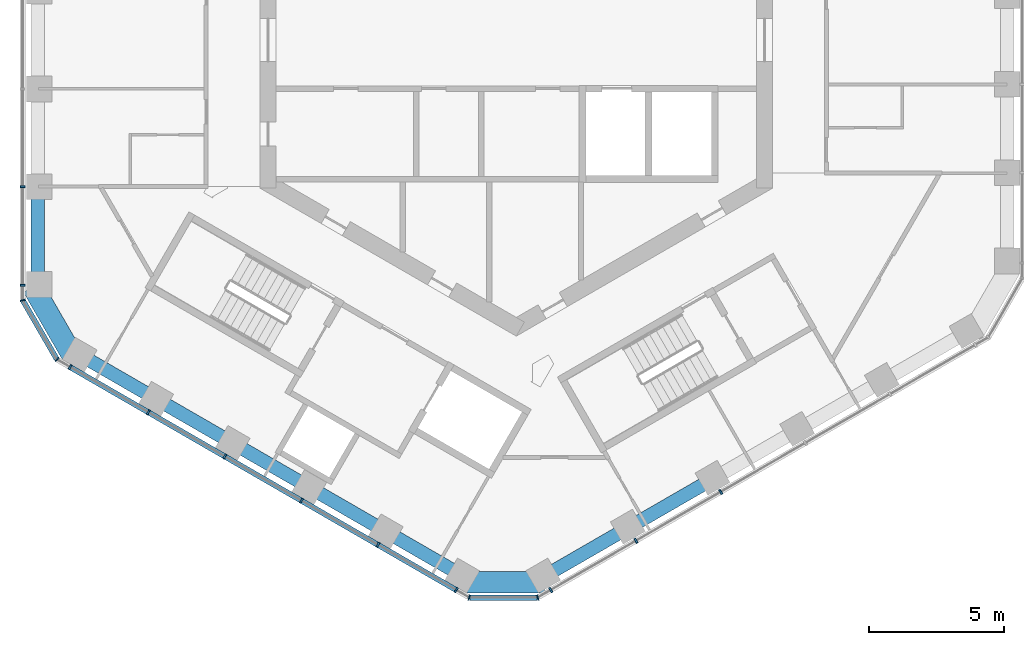
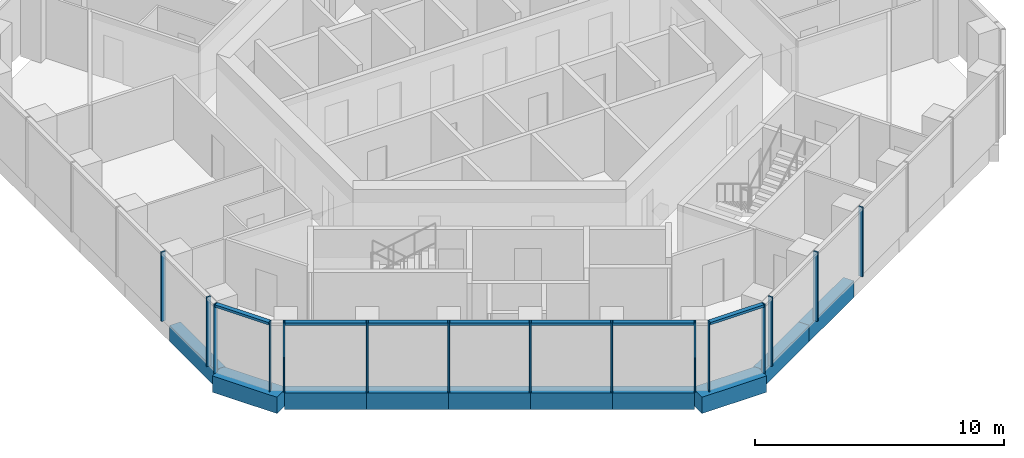
# One storey, part 2 of 18: 18 members, 10 beams, 5 elements without a shape of their own.
"""IFC4 building model written with IfcOpenShell, lengths in metres."""

from ifc_helpers import new_model, si_unit, direction, frame, origin, origin_2d, place, context, subcontext, project, spatial, rectangle, extrude, material, layer, layer_set, material_profile, profile_set, type_object, element, aggregate, save


model = new_model("IFC4")

# Units and contexts
model_context = context("Model", 3, precision=1e-05, world=origin(), true_north=direction((0.0, 1.0)))
body_context = subcontext(model_context, "Body", "Model", "MODEL_VIEW")
ifc_project = project(units=[si_unit("LENGTHUNIT", "METRE"), si_unit("AREAUNIT", "SQUARE_METRE"), si_unit("VOLUMEUNIT", "CUBIC_METRE"), si_unit("PLANEANGLEUNIT", "RADIAN"), si_unit("MASSUNIT", "GRAM", prefix="KILO")], contexts=[model_context])

# Site, building, storey
site_placement = place(None, origin())
site = spatial("IfcSite", under=ifc_project, at=site_placement, CompositionType="ELEMENT")
building_placement = place(site_placement, origin())
building = spatial("IfcBuilding", under=site, at=building_placement, Name="Ayvan Gate Tower", CompositionType="ELEMENT")
storey_placement = place(building_placement, frame((0.0, 0.0, 179.89990234375)))
storey = spatial("IfcBuildingStorey", under=building, at=storey_placement, Name="L48", CompositionType="ELEMENT", Elevation=179.89990234375)

# Beams
ifc_material_1 = material(Name="Concrete C40/50", Category="concrete")
ifc_material_profile_1 = material_profile(ifc_material_1, rectangle(XDim=0.800048828125, YDim=0.800048828125, at=origin_2d()), Name="RC 800x800")
ifc_profile_set_1 = profile_set([ifc_material_profile_1], Name="Concrete C40/50")
beam_type_1 = type_object("IfcBeamType", Name="Corner spandrel beam RC 800x800 C40/50", PredefinedType="BEAM", material=ifc_profile_set_1)
for number, where, z_axis, x_axis, name in (
    (1, (-17.915283203125, -9.14453125, -0.75), (0.499990139034, -0.866031096941, 0.0), (0.866031096941, 0.499990139034, 0.0), "SB-L48-24"),
    (2, (-1.961669921875, -20.08740234375, -0.75), (1.0, 0.0, 0.0), (0.0, 1.0, 0.0), "SB-L48-30"),
):
    element("IfcBeam", number, at=place(storey_placement, frame(where, z_axis=z_axis, x_axis=x_axis)), inside=storey, type_object=beam_type_1, Name=name, PredefinedType="BEAM", context=body_context, shape_type="SweptSolid", body=[
        extrude(rectangle(XDim=0.800048828125, YDim=0.800048828125, at=origin_2d()), origin(), (0.0, 0.0, 1.0), 3.0),
    ])
ifc_material_profile_2 = material_profile(ifc_material_1, rectangle(XDim=0.5, YDim=0.800048828125, at=origin_2d()), Name="RC 500x800")
ifc_profile_set_2 = profile_set([ifc_material_profile_2], Name="Concrete C40/50")
beam_type_2 = type_object("IfcBeamType", Name="Spandrel beam RC 500x800 C40/50", PredefinedType="BEAM", material=ifc_profile_set_2)
beam_1_placement = place(storey_placement, frame((-17.724853515625, -5.420654296875, -0.75), z_axis=(0.0, -1.0, 0.0), x_axis=(1.0, 0.0, 0.0)))
element("IfcBeam", 3, at=beam_1_placement, inside=storey, type_object=beam_type_2, Name="SB-L48-23", PredefinedType="BEAM", context=body_context, shape_type="SweptSolid", body=[
    extrude(rectangle(XDim=0.5, YDim=0.800048828125, at=origin_2d()), origin(), (0.0, 0.0, 1.0), 3.61376953125),
])
beam_2_placement = place(storey_placement, frame((-16.224853515625, -11.632568359375, -0.75), z_axis=(0.866017718408, -0.500013311227, 0.0), x_axis=(0.500013311227, 0.866017718408, 0.0)))
element("IfcBeam", 4, at=beam_2_placement, inside=storey, type_object=beam_type_2, Name="SB-L48-25", PredefinedType="BEAM", context=body_context, shape_type="SweptSolid", body=[
    extrude(rectangle(XDim=0.5, YDim=0.800048828125, at=origin_2d()), origin(), (0.0, 0.0, 1.0), 3.2939453125),
])
beam_3_placement = place(storey_placement, frame((-13.372314453125, -13.279541015625, -0.75), z_axis=(0.866036247602, -0.499981217486, 0.0), x_axis=(0.499981217486, 0.866036247602, 0.0)))
element("IfcBeam", 5, at=beam_3_placement, inside=storey, type_object=beam_type_2, Name="SB-L48-26", PredefinedType="BEAM", context=body_context, shape_type="SweptSolid", body=[
    extrude(rectangle(XDim=0.5, YDim=0.800048828125, at=origin_2d()), origin(), (0.0, 0.0, 1.0), 3.294189453125),
])
beam_4_placement = place(storey_placement, frame((-10.51953125, -14.926513671875, -0.75), z_axis=(0.866017718408, -0.500013311227, 0.0), x_axis=(0.500013311227, 0.866017718408, 0.0)))
element("IfcBeam", 6, at=beam_4_placement, inside=storey, type_object=beam_type_2, Name="SB-L48-27", PredefinedType="BEAM", context=body_context, shape_type="SweptSolid", body=[
    extrude(rectangle(XDim=0.5, YDim=0.800048828125, at=origin_2d()), origin(), (0.0, 0.0, 1.0), 3.2939453125),
])
beam_5_placement = place(storey_placement, frame((-7.6669921875, -16.573486328125, -0.75), z_axis=(0.866036247602, -0.499981217486, 0.0), x_axis=(0.499981217486, 0.866036247602, 0.0)))
element("IfcBeam", 7, at=beam_5_placement, inside=storey, type_object=beam_type_2, Name="SB-L48-28", PredefinedType="BEAM", context=body_context, shape_type="SweptSolid", body=[
    extrude(rectangle(XDim=0.5, YDim=0.800048828125, at=origin_2d()), origin(), (0.0, 0.0, 1.0), 3.294189453125),
])
beam_6_placement = place(storey_placement, frame((-4.814208984375, -18.220458984375, -0.75), z_axis=(0.866017718408, -0.500013311227, 0.0), x_axis=(0.500013311227, 0.866017718408, 0.0)))
element("IfcBeam", 8, at=beam_6_placement, inside=storey, type_object=beam_type_2, Name="SB-L48-29", PredefinedType="BEAM", context=body_context, shape_type="SweptSolid", body=[
    extrude(rectangle(XDim=0.5, YDim=0.800048828125, at=origin_2d()), origin(), (0.0, 0.0, 1.0), 3.2939453125),
])
for number, where, z_axis, x_axis, name in (
    (9, (1.038330078125, -19.867431640625, -0.75), (0.866026957163, 0.49999730946, 0.0), (-0.49999730946, 0.866026957163, 0.0), "SB-L48-31"),
    (10, (4.16796875, -18.060546875, -0.75), (0.866026957163, 0.49999730946, 0.0), (-0.49999730946, 0.866026957163, 0.0), "SB-L48-32"),
):
    element("IfcBeam", number, at=place(storey_placement, frame(where, z_axis=z_axis, x_axis=x_axis)), inside=storey, type_object=beam_type_2, Name=name, PredefinedType="BEAM", context=body_context, shape_type="SweptSolid", body=[
        extrude(rectangle(XDim=0.5, YDim=0.800048828125, at=origin_2d()), origin(), (0.0, 0.0, 1.0), 3.61376953125),
    ])

# Curtain wall, members
ifc_material_2 = material(Name="Bronze anodised aluminium", Category="aluminium")
ifc_layer_1 = layer(ifc_material_2, 0.199951171875)
ifc_layer_set_1 = layer_set([ifc_layer_1], Name="Bronze anodised aluminium")
curtain_wall_type_1 = type_object("IfcCurtainWallType", Name="Stick curtain wall CW-2", PredefinedType="NOTDEFINED", material=ifc_layer_set_1)
curtain_wall_1_placement = place(storey_placement, origin())
curtain_wall_1 = element("IfcCurtainWall", 11, at=curtain_wall_1_placement, inside=storey, type_object=curtain_wall_type_1, Name="Stick curtain wall CW-2 L48", PredefinedType="NOTDEFINED")
ifc_material_profile_3 = material_profile(ifc_material_2, rectangle(XDim=0.199951171875, YDim=0.070068359375, at=origin_2d()), Name="Stick curtain wall CW-2 mullion 200 x 70")
ifc_profile_set_3 = profile_set([ifc_material_profile_3], Name="Bronze anodised aluminium")
member_type_1 = type_object("IfcMemberType", Name="Stick curtain wall CW-2 mullion 200 x 70", PredefinedType="MULLION", material=ifc_profile_set_3)
member_1_placement = place(storey_placement, frame((-18.286865234375, -5.435302734375, 0.0), z_axis=(0.0, 0.0, 1.0), x_axis=(-1.0, 0.0, 0.0)))
member_1 = element("IfcMember", 12, at=member_1_placement, type_object=member_type_1, Name="CW-2 mullion 5", PredefinedType="MULLION", context=body_context, shape_type="SweptSolid", body=[
    extrude(rectangle(XDim=0.199951171875, YDim=0.070068359375, at=origin_2d()), origin(), (0.0, 0.0, 1.0), 3.400146484375),
])
member_2_placement = place(storey_placement, frame((-18.286865234375, -9.082763671875, 0.0), z_axis=(0.0, 0.0, 1.0), x_axis=(-1.0, 0.0, 0.0)))
member_2 = element("IfcMember", 13, at=member_2_placement, type_object=member_type_1, Name="CW-2 mullion 6", PredefinedType="MULLION", context=body_context, shape_type="SweptSolid", body=[
    extrude(rectangle(XDim=0.199951171875, YDim=0.070068359375, at=origin_2d()), origin(), (0.0, 0.0, 1.0), 3.400146484375),
])
aggregate(curtain_wall_1, [member_1, member_2])

curtain_wall_2_placement = place(storey_placement, origin())
curtain_wall_2 = element("IfcCurtainWall", 14, at=curtain_wall_2_placement, inside=storey, type_object=curtain_wall_type_1, Name="Stick curtain wall CW-2 L48", PredefinedType="NOTDEFINED")
member_3_placement = place(storey_placement, frame((-16.534423828125, -12.11767578125, 0.0), z_axis=(0.0, 0.0, 1.0), x_axis=(-0.5, -0.866025403784, 0.0)))
member_3 = element("IfcMember", 15, at=member_3_placement, type_object=member_type_1, Name="CW-2 mullion 1", PredefinedType="MULLION", context=body_context, shape_type="SweptSolid", body=[
    extrude(rectangle(XDim=0.199951171875, YDim=0.070068359375, at=origin_2d()), origin(), (0.0, 0.0, 1.0), 3.400146484375),
])
member_4_placement = place(storey_placement, frame((-13.63427734375, -13.792236328125, 0.0), z_axis=(0.0, 0.0, 1.0), x_axis=(-0.5, -0.866025403784, 0.0)))
member_4 = element("IfcMember", 16, at=member_4_placement, type_object=member_type_1, Name="CW-2 mullion 2", PredefinedType="MULLION", context=body_context, shape_type="SweptSolid", body=[
    extrude(rectangle(XDim=0.199951171875, YDim=0.070068359375, at=origin_2d()), origin(), (0.0, 0.0, 1.0), 3.400146484375),
])
member_5_placement = place(storey_placement, frame((-10.798828125, -15.42919921875, 0.0), z_axis=(0.0, 0.0, 1.0), x_axis=(-0.5, -0.866025403784, 0.0)))
member_5 = element("IfcMember", 17, at=member_5_placement, type_object=member_type_1, Name="CW-2 mullion 3", PredefinedType="MULLION", context=body_context, shape_type="SweptSolid", body=[
    extrude(rectangle(XDim=0.199951171875, YDim=0.070068359375, at=origin_2d()), origin(), (0.0, 0.0, 1.0), 3.400146484375),
])
member_6_placement = place(storey_placement, frame((-7.962646484375, -17.066650390625, 0.0), z_axis=(0.0, 0.0, 1.0), x_axis=(-0.5, -0.866025403784, 0.0)))
member_6 = element("IfcMember", 18, at=member_6_placement, type_object=member_type_1, Name="CW-2 mullion 4", PredefinedType="MULLION", context=body_context, shape_type="SweptSolid", body=[
    extrude(rectangle(XDim=0.199951171875, YDim=0.070068359375, at=origin_2d()), origin(), (0.0, 0.0, 1.0), 3.400146484375),
])
member_7_placement = place(storey_placement, frame((-5.127197265625, -18.703857421875, 0.0), z_axis=(0.0, 0.0, 1.0), x_axis=(-0.5, -0.866025403784, 0.0)))
member_7 = element("IfcMember", 19, at=member_7_placement, type_object=member_type_1, Name="CW-2 mullion 5", PredefinedType="MULLION", context=body_context, shape_type="SweptSolid", body=[
    extrude(rectangle(XDim=0.199951171875, YDim=0.070068359375, at=origin_2d()), origin(), (0.0, 0.0, 1.0), 3.400146484375),
])
member_8_placement = place(storey_placement, frame((-2.22705078125, -20.378173828125, 0.0), z_axis=(0.0, 0.0, 1.0), x_axis=(-0.5, -0.866025403784, 0.0)))
member_8 = element("IfcMember", 20, at=member_8_placement, type_object=member_type_1, Name="CW-2 mullion 6", PredefinedType="MULLION", context=body_context, shape_type="SweptSolid", body=[
    extrude(rectangle(XDim=0.199951171875, YDim=0.070068359375, at=origin_2d()), origin(), (0.0, 0.0, 1.0), 3.400146484375),
])

curtain_wall_3_placement = place(storey_placement, origin())
curtain_wall_3 = element("IfcCurtainWall", 21, at=curtain_wall_3_placement, inside=storey, type_object=curtain_wall_type_1, Name="Stick curtain wall CW-2 L48", PredefinedType="NOTDEFINED")
member_9_placement = place(storey_placement, frame((1.277587890625, -20.378173828125, 0.0), z_axis=(0.0, 0.0, 1.0), x_axis=(0.5, -0.866025403784, 0.0)))
member_9 = element("IfcMember", 22, at=member_9_placement, type_object=member_type_1, Name="CW-2 mullion 1", PredefinedType="MULLION", context=body_context, shape_type="SweptSolid", body=[
    extrude(rectangle(XDim=0.199951171875, YDim=0.070068359375, at=origin_2d()), origin(), (0.0, 0.0, 1.0), 3.400146484375),
])
member_10_placement = place(storey_placement, frame((4.435791015625, -18.5546875, 0.0), z_axis=(0.0, 0.0, 1.0), x_axis=(0.5, -0.866025403784, 0.0)))
member_10 = element("IfcMember", 23, at=member_10_placement, type_object=member_type_1, Name="CW-2 mullion 2", PredefinedType="MULLION", context=body_context, shape_type="SweptSolid", body=[
    extrude(rectangle(XDim=0.199951171875, YDim=0.070068359375, at=origin_2d()), origin(), (0.0, 0.0, 1.0), 3.400146484375),
])
member_11_placement = place(storey_placement, frame((7.574462890625, -16.74267578125, 0.0), z_axis=(0.0, 0.0, 1.0), x_axis=(0.5, -0.866025403784, 0.0)))
member_11 = element("IfcMember", 24, at=member_11_placement, type_object=member_type_1, Name="CW-2 mullion 3", PredefinedType="MULLION", context=body_context, shape_type="SweptSolid", body=[
    extrude(rectangle(XDim=0.199951171875, YDim=0.070068359375, at=origin_2d()), origin(), (0.0, 0.0, 1.0), 3.400146484375),
])
aggregate(curtain_wall_3, [member_9, member_10, member_11])

# Member
ifc_material_profile_4 = material_profile(ifc_material_2, rectangle(XDim=0.199951171875, YDim=0.1201171875, at=origin_2d()), Name="Stick curtain wall CW-2 transom 200 x 120")
ifc_profile_set_4 = profile_set([ifc_material_profile_4], Name="Bronze anodised aluminium")
member_type_2 = type_object("IfcMemberType", Name="Stick curtain wall CW-2 transom 200 x 120", PredefinedType="USERDEFINED", material=ifc_profile_set_4)
member_12_placement = place(storey_placement, frame((-16.534423828125, -12.11767578125, 3.340087890625), z_axis=(0.866021934407, -0.500006009089, 0.0), x_axis=(0.500006009089, 0.866021934407, 0.0)))
member_12 = element("IfcMember", 25, at=member_12_placement, type_object=member_type_2, Name="CW-2 transom 1", ObjectType="TRANSOM", PredefinedType="USERDEFINED", context=body_context, shape_type="SweptSolid", body=[
    extrude(rectangle(XDim=0.199951171875, YDim=0.1201171875, at=origin_2d()), origin(), (0.0, 0.0, 1.0), 16.520751953125),
])

aggregate(curtain_wall_2, [member_3, member_4, member_5, member_6, member_7, member_8, member_12])

# Curtain wall, members
ifc_layer_2 = layer(ifc_material_2, 0.199951171875)
ifc_layer_set_2 = layer_set([ifc_layer_2], Name="Bronze anodised aluminium")
curtain_wall_type_2 = type_object("IfcCurtainWallType", Name="Stick curtain wall CW-6", PredefinedType="NOTDEFINED", material=ifc_layer_set_2)
curtain_wall_4_placement = place(storey_placement, origin())
curtain_wall_4 = element("IfcCurtainWall", 26, at=curtain_wall_4_placement, inside=storey, type_object=curtain_wall_type_2, Name="Stick curtain wall CW-6 L48", PredefinedType="NOTDEFINED")
ifc_material_profile_5 = material_profile(ifc_material_2, rectangle(XDim=0.199951171875, YDim=0.050048828125, at=origin_2d()), Name="Stick curtain wall CW-6 mullion 200 x 50")
ifc_profile_set_5 = profile_set([ifc_material_profile_5], Name="Bronze anodised aluminium")
member_type_3 = type_object("IfcMemberType", Name="Stick curtain wall CW-6 mullion 200 x 50", PredefinedType="MULLION", material=ifc_profile_set_5)
member_13_placement = place(storey_placement, frame((-18.286865234375, -9.642822265625, 0.0), z_axis=(0.0, 0.0, 1.0), x_axis=(-0.965925826289, -0.258819045103, 0.0)))
member_13 = element("IfcMember", 27, at=member_13_placement, type_object=member_type_3, Name="CW-6 mullion 2", PredefinedType="MULLION", context=body_context, shape_type="SweptSolid", body=[
    extrude(rectangle(XDim=0.199951171875, YDim=0.050048828125, at=origin_2d()), origin(), (0.0, 0.0, 1.0), 3.400146484375),
])
member_14_placement = place(storey_placement, frame((-17.01953125, -11.837646484375, 0.0), z_axis=(0.0, 0.0, 1.0), x_axis=(-0.707106781187, -0.707106781187, 0.0)))
member_14 = element("IfcMember", 28, at=member_14_placement, type_object=member_type_3, Name="CW-6 mullion 3", PredefinedType="MULLION", context=body_context, shape_type="SweptSolid", body=[
    extrude(rectangle(XDim=0.199951171875, YDim=0.050048828125, at=origin_2d()), origin(), (0.0, 0.0, 1.0), 3.400146484375),
])

curtain_wall_5_placement = place(storey_placement, origin())
curtain_wall_5 = element("IfcCurtainWall", 29, at=curtain_wall_5_placement, inside=storey, type_object=curtain_wall_type_2, Name="Stick curtain wall CW-6 L48", PredefinedType="NOTDEFINED")
member_15_placement = place(storey_placement, frame((-1.741943359375, -20.658203125, 0.0), z_axis=(0.0, 0.0, 1.0), x_axis=(-0.258819045103, -0.965925826289, 0.0)))
member_15 = element("IfcMember", 30, at=member_15_placement, type_object=member_type_3, Name="CW-6 mullion 2", PredefinedType="MULLION", context=body_context, shape_type="SweptSolid", body=[
    extrude(rectangle(XDim=0.199951171875, YDim=0.050048828125, at=origin_2d()), origin(), (0.0, 0.0, 1.0), 3.400146484375),
])
member_16_placement = place(storey_placement, frame((0.79248046875, -20.658203125, 0.0), z_axis=(0.0, 0.0, 1.0), x_axis=(0.258819045103, -0.965925826289, 0.0)))
member_16 = element("IfcMember", 31, at=member_16_placement, type_object=member_type_3, Name="CW-6 mullion 3", PredefinedType="MULLION", context=body_context, shape_type="SweptSolid", body=[
    extrude(rectangle(XDim=0.199951171875, YDim=0.050048828125, at=origin_2d()), origin(), (0.0, 0.0, 1.0), 3.400146484375),
])

# Member
ifc_material_profile_6 = material_profile(ifc_material_2, rectangle(XDim=0.199951171875, YDim=0.1201171875, at=origin_2d()), Name="Stick curtain wall CW-6 transom 200 x 120")
ifc_profile_set_6 = profile_set([ifc_material_profile_6], Name="Bronze anodised aluminium")
member_type_4 = type_object("IfcMemberType", Name="Stick curtain wall CW-6 transom 200 x 120", PredefinedType="USERDEFINED", material=ifc_profile_set_6)
member_17_placement = place(storey_placement, frame((-18.274169921875, -9.664306640625, 3.340087890625), z_axis=(0.499943602543, -0.866057962423, 0.0), x_axis=(0.866057962423, 0.499943602543, 0.0)))
member_17 = element("IfcMember", 32, at=member_17_placement, type_object=member_type_4, Name="CW-6 transom 2", ObjectType="TRANSOM", PredefinedType="USERDEFINED", context=body_context, shape_type="SweptSolid", body=[
    extrude(rectangle(XDim=0.199951171875, YDim=0.1201171875, at=origin_2d()), origin(), (0.0, 0.0, 1.0), 2.484619140625),
])

aggregate(curtain_wall_4, [member_13, member_14, member_17])

member_18_placement = place(storey_placement, frame((-1.717041015625, -20.658203125, 3.340087890625), z_axis=(1.0, 0.0, 0.0), x_axis=(0.0, 1.0, 0.0)))
member_18 = element("IfcMember", 33, at=member_18_placement, type_object=member_type_4, Name="CW-6 transom 2", ObjectType="TRANSOM", PredefinedType="USERDEFINED", context=body_context, shape_type="SweptSolid", body=[
    extrude(rectangle(XDim=0.199951171875, YDim=0.1201171875, at=origin_2d()), origin(), (0.0, 0.0, 1.0), 2.484619140625),
])

aggregate(curtain_wall_5, [member_15, member_16, member_18])

save(model, "model.ifc")
